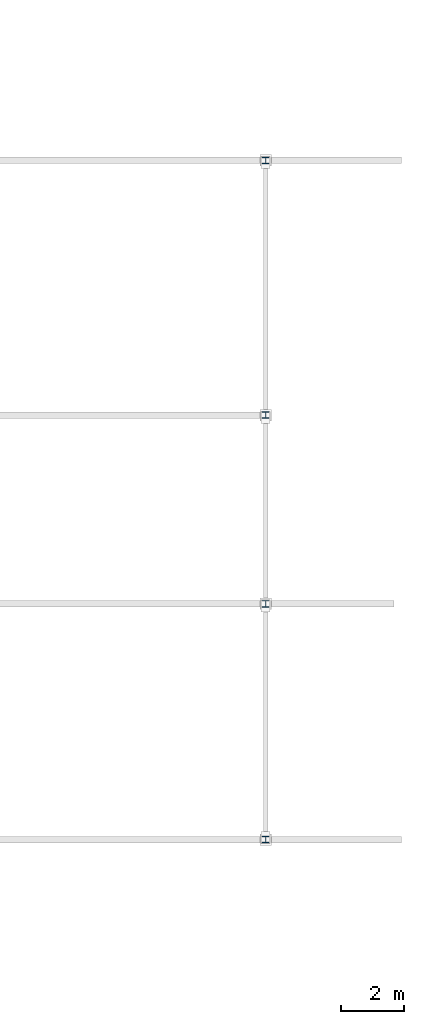
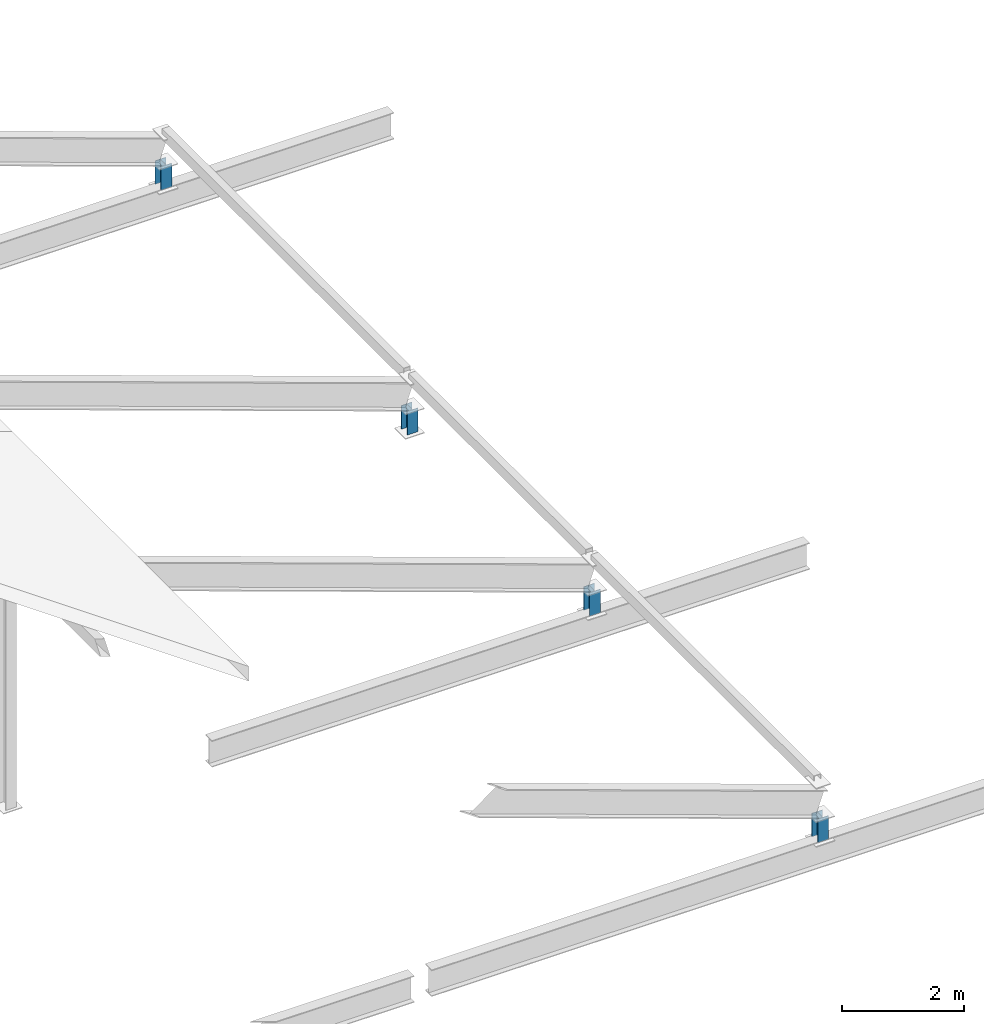
# One storey, part 35 of 42: 4 members.
"""IFC4 building model written with IfcOpenShell, lengths in metres."""

from ifc_helpers import new_model, si_unit, direction, frame, origin, origin_2d, place, context, subcontext, project, spatial, i_section, extrude, material, material_profile, profile_set, type_object, element, save


model = new_model("IFC4")

# Units and contexts
model_context = context("Model", 3, precision=1e-05, world=origin(), true_north=direction((0.0, 1.0)))
body_context = subcontext(model_context, "Body", "Model", "MODEL_VIEW")
ifc_project = project(units=[si_unit("LENGTHUNIT", "METRE"), si_unit("AREAUNIT", "SQUARE_METRE"), si_unit("VOLUMEUNIT", "CUBIC_METRE"), si_unit("PLANEANGLEUNIT", "RADIAN"), si_unit("MASSUNIT", "GRAM", prefix="KILO")], contexts=[model_context])

# Site, building, storey
site_placement = place(None, origin())
site = spatial("IfcSite", under=ifc_project, at=site_placement, CompositionType="ELEMENT")
building_placement = place(site_placement, origin())
building = spatial("IfcBuilding", under=site, at=building_placement, Name="Kelmvaro Bay Concert Hall", CompositionType="ELEMENT")
storey_placement = place(building_placement, frame((0.0, 0.0, 26.699951171875)))
storey = spatial("IfcBuildingStorey", under=building, at=storey_placement, Name="RF", CompositionType="ELEMENT", Elevation=26.699951171875)

# Members
ifc_material = material(Name="Steel ASTM A992 Grade 50", Category="steel")
ifc_material_profile = material_profile(ifc_material, i_section(OverallWidth=0.2041015625, OverallDepth=0.2060546875, WebThickness=0.0078125, FlangeThickness=0.0126953125, at=origin_2d()), Name="W8X35")
ifc_profile_set = profile_set([ifc_material_profile], Name="Steel ASTM A992 Grade 50")
member_type = type_object("IfcMemberType", Name="Crystal Eave Tie Strut W8x35", PredefinedType="STRUT", material=ifc_profile_set)
for number, where, z_axis, x_axis, name in (
    (1, (163.60009765625, 16.5, -4.514892578125), (0.0, 0.0, 1.0), (1.0, 0.0, 0.0), "V4 Crystal Roof Post 050"),
    (2, (163.60009765625, 24.0, -4.514892578125), (0.0, 0.0, 1.0), (1.0, 0.0, 0.0), "V4 Crystal Roof Post 055"),
    (3, (163.60009765625, 30.0, -4.514892578125), (0.0, 0.0, 1.0), (1.0, 0.0, 0.0), "V4 Crystal Roof Post 060"),
    (4, (163.60009765625, 38.10009765625, -4.514892578125), (0.0, 0.0, 1.0), (1.0, 0.0, 0.0), "V4 Crystal Roof Post 065"),
):
    element("IfcMember", number, at=place(storey_placement, frame(where, z_axis=z_axis, x_axis=x_axis)), inside=storey, type_object=member_type, Name=name, PredefinedType="STRUT", context=body_context, shape_type="SweptSolid", body=[
        extrude(i_section(OverallWidth=0.2041015625, OverallDepth=0.2060546875, WebThickness=0.0078125, FlangeThickness=0.0126953125, at=origin_2d()), origin(), (0.0, 0.0, 1.0), 0.47119140625),
    ])

save(model, "model.ifc")
